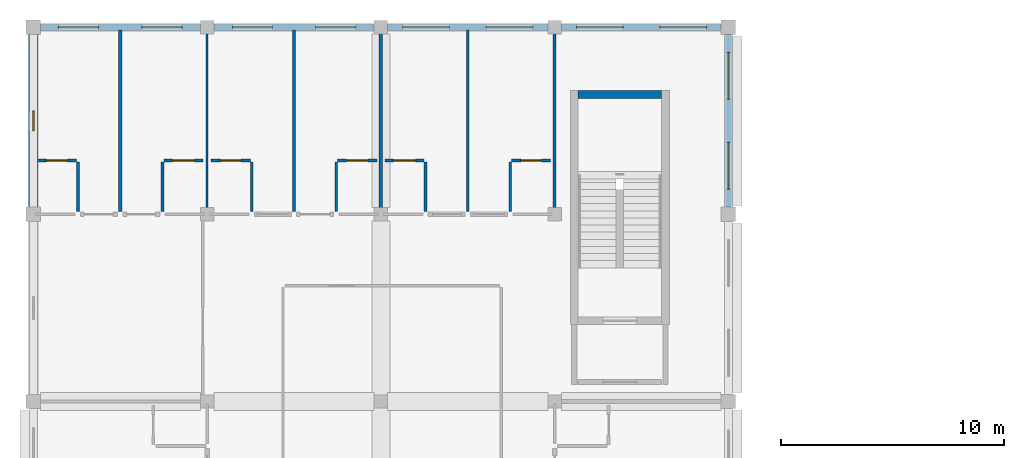
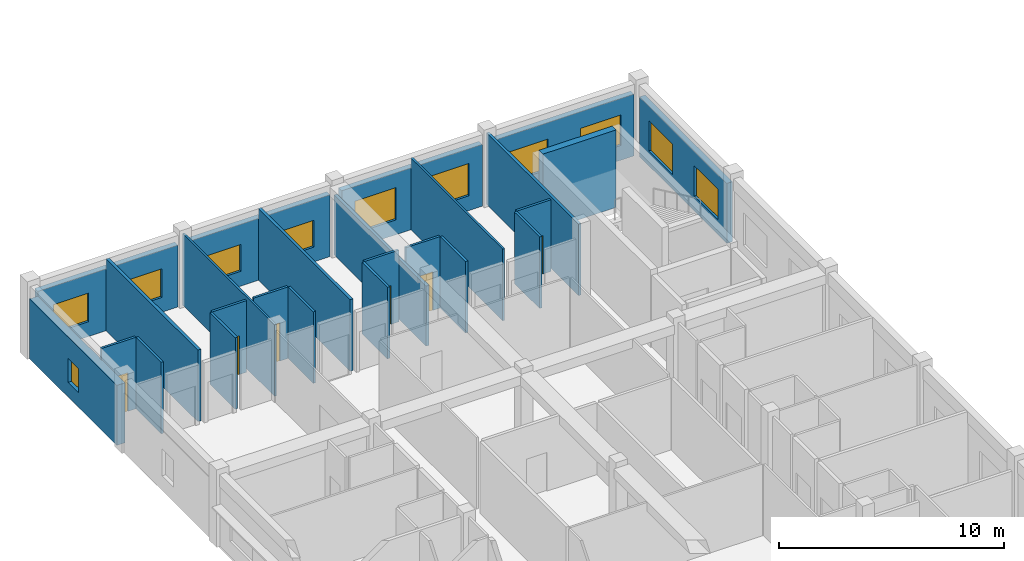
# One storey, part 25 of 32: 25 walls, 11 windows, 6 doors, 17 openings.
"""IFC4 building model written with IfcOpenShell, lengths in metres."""

import ifcopenshell
import ifcopenshell.guid

model = None  # the IFC model being written
_history = None  # IfcOwnerHistory: only IFC2X3 demands one
_inside = {}  # id of a spatial element -> (the spatial element, [elements in it])
_under = {}  # id of a project, library or spatial element -> (it, [spatial elements below it])
_declared = {}  # id of a project -> (the project, [libraries it declares])
_typed = {}  # id of a type object -> (the type object, [elements of that type])
_made_of = {}  # id of a material, layer set ... -> (it, [elements and type objects made of it])


def new_model(schema):
    """Start an empty IFC model of exactly this schema.

    Asked for "IFC4X3", IfcOpenShell would pick the latest addendum, in which some entities
    have other attributes; the version numbers below select the first issue.
    IFC2X3 requires an IfcOwnerHistory on every rooted entity: one is made here for all.
    """
    global model, _history
    if schema == "IFC4X3":
        model = ifcopenshell.file(schema_version=(4, 3, 0, 0))
    else:
        model = ifcopenshell.file(schema=schema)
    _inside.clear()
    _under.clear()
    _declared.clear()
    _typed.clear()
    _made_of.clear()
    _history = None
    if model.schema == "IFC2X3":
        org = make("IfcOrganization", Name="unknown")
        user = make(
            "IfcPersonAndOrganization",
            ThePerson=make("IfcPerson", FamilyName="unknown"),
            TheOrganization=org,
        )
        app = make(
            "IfcApplication",
            ApplicationDeveloper=org,
            Version="unknown",
            ApplicationFullName="unknown",
            ApplicationIdentifier="unknown",
        )
        _history = make(
            "IfcOwnerHistory",
            OwningUser=user,
            OwningApplication=app,
            ChangeAction="ADDED",
            CreationDate=0,
        )
    return model


def make(cls, **values):
    """One entity of the class cls with the attributes given. An attribute that is None is left unset."""
    return model.create_entity(
        cls, **{name: value for name, value in values.items() if value is not None}
    )


def rooted(cls, **values):
    """An entity with a GlobalId (a new one), such as an element, a storey or a relation."""
    return make(cls, GlobalId=ifcopenshell.guid.new(), OwnerHistory=_history, **values)


def si_unit(unit_type, name, prefix=None):
    """IfcSIUnit, for example si_unit("LENGTHUNIT", "METRE", prefix="MILLI")."""
    return make("IfcSIUnit", UnitType=unit_type, Prefix=prefix, Name=name)


def assignment(units):
    """IfcUnitAssignment: the units of a project."""
    return None if units is None else make("IfcUnitAssignment", Units=units)


def point(xyz):
    """IfcCartesianPoint."""
    return None if xyz is None else make("IfcCartesianPoint", Coordinates=xyz)


def direction(xyz):
    """IfcDirection."""
    return None if xyz is None else make("IfcDirection", DirectionRatios=xyz)


def frame(location, z_axis=None, x_axis=None):
    """IfcAxis2Placement3D, a coordinate frame: its origin and axes. An axis left out is left unset."""
    return make(
        "IfcAxis2Placement3D",
        Location=point(location),
        Axis=direction(z_axis),
        RefDirection=direction(x_axis),
    )


def frame_2d(location, x_axis=None):
    """IfcAxis2Placement2D, a coordinate frame in the plane: its origin and x axis."""
    return make(
        "IfcAxis2Placement2D", Location=point(location), RefDirection=direction(x_axis)
    )


def origin():
    """The frame at (0, 0, 0) with its axes left unset."""
    return frame((0.0, 0.0, 0.0))


def place(relative_to, where):
    """IfcLocalPlacement: puts the frame where relative to a parent placement (None: the world)."""
    return make(
        "IfcLocalPlacement", PlacementRelTo=relative_to, RelativePlacement=where
    )


def context(
    kind, dimensions, precision=None, world=None, true_north=None, identifier=None
):
    """IfcGeometricRepresentationContext, for example the 3D "Model" context."""
    return make(
        "IfcGeometricRepresentationContext",
        ContextIdentifier=identifier,
        ContextType=kind,
        CoordinateSpaceDimension=dimensions,
        Precision=precision,
        WorldCoordinateSystem=world,
        TrueNorth=true_north,
    )


def subcontext(parent, identifier, kind, view, scale=None):
    """IfcGeometricRepresentationSubContext, for example "Body" below "Model"."""
    return make(
        "IfcGeometricRepresentationSubContext",
        ContextIdentifier=identifier,
        ContextType=kind,
        ParentContext=parent,
        TargetScale=scale,
        TargetView=view,
    )


def project(units=None, contexts=None):
    """IfcProject with its units and contexts."""
    return rooted(
        "IfcProject",
        Name="project",
        RepresentationContexts=contexts,
        UnitsInContext=assignment(units),
    )


def spatial(cls, under=None, at=None, **own):
    """A site, building, storey or space (cls), placed at a placement, below another one or the project."""
    s = rooted(cls, ObjectPlacement=at, **own)
    if under is not None:
        _under.setdefault(under.id(), (under, []))[1].append(s)
    return s


def profile(cls, at=None, kind="AREA", **sizes):
    """A parametric profile (cls). Its sizes go by their IFC names, for example OverallWidth=200.0."""
    return make(cls, ProfileType=kind, Position=at, **sizes)


def rectangle(**sizes):
    """IfcRectangleProfileDef."""
    return profile("IfcRectangleProfileDef", **sizes)


def extrude(swept, where, along, depth):
    """IfcExtrudedAreaSolid: the profile swept, set in the frame where, extruded along a direction by depth."""
    return make(
        "IfcExtrudedAreaSolid",
        SweptArea=swept,
        Position=where,
        ExtrudedDirection=direction(along),
        Depth=depth,
    )


def shape(context_of_items, identifier, shape_type, items):
    """IfcShapeRepresentation: the items that make up one representation, for example the "Body"."""
    return make(
        "IfcShapeRepresentation",
        ContextOfItems=context_of_items,
        RepresentationIdentifier=identifier,
        RepresentationType=shape_type,
        Items=items,
    )


def material(Name=None, Category=None):
    """IfcMaterial."""
    return make("IfcMaterial", Name=Name, Category=Category)


def layer(
    of_material, thickness, ventilated=None, Name=None, Category=None, Priority=None
):
    """IfcMaterialLayer: one layer of a wall or slab, of a material (None: an air gap)."""
    return make(
        "IfcMaterialLayer",
        Material=of_material,
        LayerThickness=thickness,
        IsVentilated=ventilated,
        Name=Name,
        Category=Category,
        Priority=Priority,
    )


def layer_set(layers, Name=None):
    """IfcMaterialLayerSet."""
    return make("IfcMaterialLayerSet", MaterialLayers=layers, LayerSetName=Name)


def made_of(thing, what):
    """Note that an element or type object is made of a material, layer set ...; save() writes the relation."""
    if what is not None:
        _made_of.setdefault(what.id(), (what, []))[1].append(thing)
    return thing


def type_object(cls, material=None, **own):
    """A type object (cls), such as IfcWallType, which elements share."""
    return made_of(rooted(cls, **own), material)


def element(
    cls,
    number,
    at=None,
    inside=None,
    cuts=None,
    type_object=None,
    material=None,
    context=None,
    identifier="Body",
    shape_type=None,
    held_by="IfcProductDefinitionShape",
    body=None,
    shapes=None,
    **own,
):
    """One element of the class cls, such as IfcWall. Its Tag is "e" and its number.

    at: its placement. inside: the storey or other place that contains it. cuts: it is an
    opening in that element (IfcRelVoidsElement). A single representation is given by context,
    identifier, shape_type and body (its items); several are given by shapes. held_by: the class
    of the entity that holds the representations. save() writes the other relations.
    """
    e = rooted(cls, Tag="e%d" % number, ObjectPlacement=at, **own)
    if body is not None:
        shapes = [shape(context, identifier, shape_type, body)]
    if shapes is not None:
        e.Representation = make(held_by, Representations=shapes)
    if inside is not None:
        _inside.setdefault(inside.id(), (inside, []))[1].append(e)
    if cuts is not None:
        rooted(
            "IfcRelVoidsElement", RelatingBuildingElement=cuts, RelatedOpeningElement=e
        )
    if type_object is not None:
        _typed.setdefault(type_object.id(), (type_object, []))[1].append(e)
    return made_of(e, material)


def fill(opening, filler):
    """IfcRelFillsElement: the door or window that sits in an opening."""
    return rooted(
        "IfcRelFillsElement",
        RelatingOpeningElement=opening,
        RelatedBuildingElement=filler,
    )


def aggregate(whole, parts):
    """IfcRelAggregates: a whole, such as a stair, and the parts it consists of."""
    return rooted("IfcRelAggregates", RelatingObject=whole, RelatedObjects=parts)


def save(model, path):
    """Write the relations noted so far, then the file.

    IfcRelAggregates (storeys below a building ...), IfcRelContainedInSpatialStructure (elements
    in a storey), IfcRelDefinesByType, IfcRelAssociatesMaterial and IfcRelDeclares: one each for
    every whole, place, type object, material and project.
    """
    for whole, parts in _under.values():
        aggregate(whole, parts)
    for where, things in _inside.values():
        rooted(
            "IfcRelContainedInSpatialStructure",
            RelatedElements=things,
            RelatingStructure=where,
        )
    for kind, things in _typed.values():
        rooted("IfcRelDefinesByType", RelatedObjects=things, RelatingType=kind)
    for what, things in _made_of.values():
        rooted("IfcRelAssociatesMaterial", RelatedObjects=things, RelatingMaterial=what)
    for by, libraries in _declared.values():
        rooted("IfcRelDeclares", RelatingContext=by, RelatedDefinitions=libraries)
    model.write(path)


model = new_model("IFC4")

# Units and contexts
model_context = context("Model", 3, precision=1e-05, world=origin(), true_north=direction((0.0, 1.0)))
body_context = subcontext(model_context, "Body", "Model", "MODEL_VIEW")
ifc_project = project(units=[si_unit("LENGTHUNIT", "METRE"), si_unit("AREAUNIT", "SQUARE_METRE"), si_unit("VOLUMEUNIT", "CUBIC_METRE"), si_unit("PLANEANGLEUNIT", "RADIAN"), si_unit("MASSUNIT", "GRAM", prefix="KILO"), si_unit("THERMODYNAMICTEMPERATUREUNIT", "KELVIN"), si_unit("POWERUNIT", "WATT")], contexts=[model_context])

# Site, building, storey
site_placement = place(None, origin())
site = spatial("IfcSite", under=ifc_project, at=site_placement, CompositionType="ELEMENT")
building_placement = place(site_placement, origin())
building = spatial("IfcBuilding", under=site, at=building_placement, Name="Srebrne Nadtorze General Hospital", CompositionType="ELEMENT")
storey_placement = place(building_placement, frame((0.0, 0.0, 29.699951171875)))
storey = spatial("IfcBuildingStorey", under=building, at=storey_placement, Name="L07", CompositionType="ELEMENT", Elevation=29.699951171875)

# Wall, opening, window
ifc_material_1 = material(Name="Concrete C40/50", Category="concrete")
ifc_layer_1 = layer(ifc_material_1, 0.419921875)
ifc_layer_set_1 = layer_set([ifc_layer_1], Name="Concrete C40/50")
wall_type_1 = type_object("IfcWallType", Name="Acoustic buffer wall 420", PredefinedType="SOLIDWALL", material=ifc_layer_set_1)
wall_1_placement = place(storey_placement, frame((23.39990234375, 84.324951171875, 0.0), z_axis=(0.0, 0.0, 1.0), x_axis=(0.0, 1.0, 0.0)))
wall_1 = element("IfcWall", 1, at=wall_1_placement, inside=storey, type_object=wall_type_1, Name="Exterior wall WL-ENV-L07-0533", PredefinedType="SOLIDWALL", context=body_context, shape_type="SweptSolid", body=[
    extrude(rectangle(XDim=7.75, YDim=0.419921875, at=frame_2d((3.875, 0.0))), origin(), (0.0, 0.0, 1.0), 3.25),
])
opening_1_placement = place(wall_1_placement, frame((3.425048828125, 0.0, 0.800048828125)))
opening_1 = element("IfcOpeningElement", 2, at=opening_1_placement, cuts=wall_1, Name="Opening WN-L07-0895", PredefinedType="OPENING", context=body_context, shape_type="SweptSolid", body=[
    extrude(rectangle(XDim=0.89990234375, YDim=1.300048828125, at=frame_2d((0.449951171875, 0.64990234375))), frame((0.0, 0.221923828125, 0.0), z_axis=(0.0, -1.0, 0.0), x_axis=(1.0, 0.0, 0.0)), (0.0, 0.0, 1.0), 0.44384765625),
])
ifc_material_2 = material(Name="Triple Low-E Glazing", Category="glass")
window_type_1 = type_object("IfcWindowType", Name="Punched clinical window 900x1300", PartitioningType="SINGLE_PANEL", PredefinedType="WINDOW", material=ifc_material_2)
window_1_placement = place(opening_1_placement, origin())
window_1 = element("IfcWindow", 3, at=window_1_placement, inside=storey, type_object=window_type_1, Name="Clinical window WN-L07-0895", OverallHeight=1.300048828125, OverallWidth=0.89990234375, PartitioningType="SINGLE_PANEL", PredefinedType="WINDOW", context=body_context, shape_type="SweptSolid", body=[
    extrude(rectangle(XDim=0.89990234375, YDim=1.300048828125, at=frame_2d((0.449951171875, 0.64990234375))), frame((0.0, 0.030029296875, 0.0), z_axis=(0.0, -1.0, 0.0), x_axis=(1.0, 0.0, 0.0)), (0.0, 0.0, 1.0), 0.06005859375),
])
fill(opening_1, window_1)

# Walls
ifc_material_3 = material(Name="Gypsum Healthcare Partition")
ifc_layer_2 = layer(ifc_material_3, 0.139892578125)
ifc_layer_set_2 = layer_set([ifc_layer_2], Name="Gypsum Healthcare Partition")
wall_type_2 = type_object("IfcWallType", Name="Clinical partition 140", PredefinedType="PARTITIONING", material=ifc_layer_set_2)
for number, where, z_axis, x_axis, name in (
    (4, (35.10009765625, 84.1201171875, 0.0), (0.0, 0.0, 1.0), (0.0, 1.0, 0.0), "Ward inter-room partition WL-INT-L07-2258"),
    (5, (46.800048828125, 84.1201171875, 0.0), (0.0, 0.0, 1.0), (0.0, 1.0, 0.0), "Ward inter-room partition WL-INT-L07-2273"),
):
    element("IfcWall", number, at=place(storey_placement, frame(where, z_axis=z_axis, x_axis=x_axis)), inside=storey, type_object=wall_type_2, Name=name, PredefinedType="PARTITIONING", context=body_context, shape_type="SweptSolid", body=[
        extrude(rectangle(XDim=8.159912109375, YDim=0.139892578125, at=frame_2d((4.080078125, 0.0))), origin(), (0.0, 0.0, 1.0), 3.880126953125),
    ])
ifc_material_4 = material(Name="Gypsum Healthcare Partition")
ifc_layer_3 = layer(ifc_material_4, 0.159912109375)
ifc_layer_set_3 = layer_set([ifc_layer_3], Name="Gypsum Healthcare Partition")
wall_type_3 = type_object("IfcWallType", Name="Clinical partition 160", PredefinedType="PARTITIONING", material=ifc_layer_set_3)
wall_2_placement = place(storey_placement, frame((27.300048828125, 84.1201171875, 0.0), z_axis=(0.0, 0.0, 1.0), x_axis=(0.0, 1.0, 0.0)))
element("IfcWall", 6, at=wall_2_placement, inside=storey, type_object=wall_type_3, Name="Ward inter-room partition WL-INT-L07-2248", PredefinedType="PARTITIONING", context=body_context, shape_type="SweptSolid", body=[
    extrude(rectangle(XDim=8.159912109375, YDim=0.159912109375, at=frame_2d((4.080078125, 0.0))), origin(), (0.0, 0.0, 1.0), 3.880126953125),
])
wall_3_placement = place(storey_placement, frame((39.0, 84.1201171875, 0.0), z_axis=(0.0, 0.0, 1.0), x_axis=(0.0, 1.0, 0.0)))
element("IfcWall", 7, at=wall_3_placement, inside=storey, type_object=wall_type_3, Name="Ward inter-room partition WL-INT-L07-2263", PredefinedType="PARTITIONING", context=body_context, shape_type="SweptSolid", body=[
    extrude(rectangle(XDim=8.159912109375, YDim=0.159912109375, at=frame_2d((4.080078125, 0.0))), origin(), (0.0, 0.0, 1.0), 3.25),
])
ifc_material_5 = material(Name="Gypsum Healthcare Partition")
ifc_layer_4 = layer(ifc_material_5, 0.1201171875)
ifc_layer_set_4 = layer_set([ifc_layer_4], Name="Gypsum Healthcare Partition")
wall_type_4 = type_object("IfcWallType", Name="En-suite partition 120", PredefinedType="PARTITIONING", material=ifc_layer_set_4)
wall_4_placement = place(storey_placement, frame((25.39990234375, 84.1201171875, 0.0), z_axis=(0.0, 0.0, 1.0), x_axis=(0.0, 1.0, 0.0)))
element("IfcWall", 8, at=wall_4_placement, inside=storey, type_object=wall_type_4, Name="En-suite wet wall WL-INT-L07-2251", PredefinedType="PARTITIONING", context=body_context, shape_type="SweptSolid", body=[
    extrude(rectangle(XDim=2.239990234375, YDim=0.1201171875, at=frame_2d((1.1201171875, 0.0))), origin(), (0.0, 0.0, 1.0), 3.880126953125),
])

# Wall, opening, door
wall_5_placement = place(storey_placement, frame((23.580078125, 86.419921875, 0.0), z_axis=(0.0, 0.0, 1.0), x_axis=(1.0, 0.0, 0.0)))
wall_5 = element("IfcWall", 9, at=wall_5_placement, inside=storey, type_object=wall_type_4, Name="En-suite wet wall WL-INT-L07-2252", PredefinedType="PARTITIONING", context=body_context, shape_type="SweptSolid", body=[
    extrude(rectangle(XDim=1.760009765625, YDim=0.1201171875, at=frame_2d((0.8798828125, 0.0))), origin(), (0.0, 0.0, 1.0), 3.880126953125),
])
opening_2_placement = place(wall_5_placement, frame((0.405029296875, 0.0, 0.0)))
opening_2 = element("IfcOpeningElement", 10, at=opening_2_placement, cuts=wall_5, Name="Opening D-L07-0490", PredefinedType="OPENING", context=body_context, shape_type="SweptSolid", body=[
    extrude(rectangle(XDim=0.949951171875, YDim=2.10009765625, at=frame_2d((0.47509765625, 1.050048828125))), frame((0.0, 0.072021484375, 0.0), z_axis=(0.0, -1.0, 0.0), x_axis=(1.0, 0.0, 0.0)), (0.0, 0.0, 1.0), 0.14404296875),
])
ifc_material_6 = material(Name="Anodised Aluminium", Category="aluminium")
door_type_1 = type_object("IfcDoorType", Name="Single leaf door 950x2100", OperationType="NOTDEFINED", PredefinedType="DOOR", material=ifc_material_6)
door_1_placement = place(opening_2_placement, frame((0.949951171875, 0.0, 0.0), z_axis=(0.0, 0.0, 1.0), x_axis=(-1.0, 0.0, 0.0)))
door_1 = element("IfcDoor", 11, at=door_1_placement, inside=storey, type_object=door_type_1, Name="En-suite bathroom door D-L07-0490", OperationType="SINGLE_SWING_LEFT", OverallHeight=2.10009765625, OverallWidth=0.949951171875, PredefinedType="DOOR", context=body_context, shape_type="SweptSolid", body=[
    extrude(rectangle(XDim=0.949951171875, YDim=2.10009765625, at=frame_2d((0.47509765625, 1.050048828125))), frame((0.0, 0.02490234375, 0.0), z_axis=(0.0, -1.0, 0.0), x_axis=(1.0, 0.0, 0.0)), (0.0, 0.0, 1.0), 0.050048828125),
])
fill(opening_2, door_1)

# Wall
wall_6_placement = place(storey_placement, frame((29.199951171875, 84.1201171875, 0.0), z_axis=(0.0, 0.0, 1.0), x_axis=(0.0, 1.0, 0.0)))
element("IfcWall", 12, at=wall_6_placement, inside=storey, type_object=wall_type_4, Name="En-suite wet wall WL-INT-L07-2256", PredefinedType="PARTITIONING", context=body_context, shape_type="SweptSolid", body=[
    extrude(rectangle(XDim=2.239990234375, YDim=0.1201171875, at=frame_2d((1.1201171875, 0.0))), origin(), (0.0, 0.0, 1.0), 3.880126953125),
])

# Wall, opening, door
wall_7_placement = place(storey_placement, frame((29.260009765625, 86.419921875, 0.0), z_axis=(0.0, 0.0, 1.0), x_axis=(1.0, 0.0, 0.0)))
wall_7 = element("IfcWall", 13, at=wall_7_placement, inside=storey, type_object=wall_type_4, Name="En-suite wet wall WL-INT-L07-2257", PredefinedType="PARTITIONING", context=body_context, shape_type="SweptSolid", body=[
    extrude(rectangle(XDim=1.760009765625, YDim=0.1201171875, at=frame_2d((0.8798828125, 0.0))), origin(), (0.0, 0.0, 1.0), 3.880126953125),
])
opening_3_placement = place(wall_7_placement, frame((0.3798828125, 0.0, 0.0)))
opening_3 = element("IfcOpeningElement", 14, at=opening_3_placement, cuts=wall_7, Name="Opening D-L07-0492", PredefinedType="OPENING", context=body_context, shape_type="SweptSolid", body=[
    extrude(rectangle(XDim=1.0, YDim=2.10009765625, at=frame_2d((0.5, 1.050048828125))), frame((0.0, 0.072021484375, 0.0), z_axis=(0.0, -1.0, 0.0), x_axis=(1.0, 0.0, 0.0)), (0.0, 0.0, 1.0), 0.14404296875),
])
ifc_material_7 = material(Name="Anodised Aluminium", Category="aluminium")
door_type_2 = type_object("IfcDoorType", Name="Single leaf door 1000x2100", OperationType="NOTDEFINED", PredefinedType="DOOR", material=ifc_material_7)
door_2_placement = place(opening_3_placement, frame((1.0, 0.0, 0.0), z_axis=(0.0, 0.0, 1.0), x_axis=(-1.0, 0.0, 0.0)))
door_2 = element("IfcDoor", 15, at=door_2_placement, inside=storey, type_object=door_type_2, Name="En-suite bathroom door D-L07-0492", OperationType="SINGLE_SWING_LEFT", OverallHeight=2.10009765625, OverallWidth=1.0, PredefinedType="DOOR", context=body_context, shape_type="SweptSolid", body=[
    extrude(rectangle(XDim=1.0, YDim=2.10009765625, at=frame_2d((0.5, 1.050048828125))), frame((0.0, 0.02490234375, 0.0), z_axis=(0.0, -1.0, 0.0), x_axis=(1.0, 0.0, 0.0)), (0.0, 0.0, 1.0), 0.050048828125),
])
fill(opening_3, door_2)

# Wall
wall_8_placement = place(storey_placement, frame((33.199951171875, 84.1201171875, 0.0), z_axis=(0.0, 0.0, 1.0), x_axis=(0.0, 1.0, 0.0)))
element("IfcWall", 16, at=wall_8_placement, inside=storey, type_object=wall_type_4, Name="En-suite wet wall WL-INT-L07-2261", PredefinedType="PARTITIONING", context=body_context, shape_type="SweptSolid", body=[
    extrude(rectangle(XDim=2.239990234375, YDim=0.1201171875, at=frame_2d((1.1201171875, 0.0))), origin(), (0.0, 0.0, 1.0), 3.880126953125),
])

# Wall, opening, door
wall_9_placement = place(storey_placement, frame((31.3798828125, 86.419921875, 0.0), z_axis=(0.0, 0.0, 1.0), x_axis=(1.0, 0.0, 0.0)))
wall_9 = element("IfcWall", 17, at=wall_9_placement, inside=storey, type_object=wall_type_4, Name="En-suite wet wall WL-INT-L07-2262", PredefinedType="PARTITIONING", context=body_context, shape_type="SweptSolid", body=[
    extrude(rectangle(XDim=1.760009765625, YDim=0.1201171875, at=frame_2d((0.8798828125, 0.0))), origin(), (0.0, 0.0, 1.0), 3.880126953125),
])
opening_4_placement = place(wall_9_placement, frame((0.419921875, 0.0, 0.0)))
opening_4 = element("IfcOpeningElement", 18, at=opening_4_placement, cuts=wall_9, Name="Opening D-L07-0494", PredefinedType="OPENING", context=body_context, shape_type="SweptSolid", body=[
    extrude(rectangle(XDim=0.919921875, YDim=2.080078125, at=frame_2d((0.4599609375, 1.0400390625))), frame((0.0, 0.072021484375, 0.0), z_axis=(0.0, -1.0, 0.0), x_axis=(1.0, 0.0, 0.0)), (0.0, 0.0, 1.0), 0.14404296875),
])
ifc_material_8 = material(Name="Anodised Aluminium", Category="aluminium")
door_type_3 = type_object("IfcDoorType", Name="Single leaf door 920x2080", OperationType="NOTDEFINED", PredefinedType="DOOR", material=ifc_material_8)
door_3_placement = place(opening_4_placement, frame((0.919921875, 0.0, 0.0), z_axis=(0.0, 0.0, 1.0), x_axis=(-1.0, 0.0, 0.0)))
door_3 = element("IfcDoor", 19, at=door_3_placement, inside=storey, type_object=door_type_3, Name="En-suite bathroom door D-L07-0494", OperationType="SINGLE_SWING_LEFT", OverallHeight=2.080078125, OverallWidth=0.919921875, PredefinedType="DOOR", context=body_context, shape_type="SweptSolid", body=[
    extrude(rectangle(XDim=0.919921875, YDim=2.080078125, at=frame_2d((0.4599609375, 1.0400390625))), frame((0.0, 0.02490234375, 0.0), z_axis=(0.0, -1.0, 0.0), x_axis=(1.0, 0.0, 0.0)), (0.0, 0.0, 1.0), 0.050048828125),
])
fill(opening_4, door_3)

# Wall
wall_10_placement = place(storey_placement, frame((37.0, 84.1201171875, 0.0), z_axis=(0.0, 0.0, 1.0), x_axis=(0.0, 1.0, 0.0)))
element("IfcWall", 20, at=wall_10_placement, inside=storey, type_object=wall_type_4, Name="En-suite wet wall WL-INT-L07-2266", PredefinedType="PARTITIONING", context=body_context, shape_type="SweptSolid", body=[
    extrude(rectangle(XDim=2.239990234375, YDim=0.1201171875, at=frame_2d((1.1201171875, 0.0))), origin(), (0.0, 0.0, 1.0), 3.880126953125),
])

# Wall, opening, door
wall_11_placement = place(storey_placement, frame((37.06005859375, 86.419921875, 0.0), z_axis=(0.0, 0.0, 1.0), x_axis=(1.0, 0.0, 0.0)))
wall_11 = element("IfcWall", 21, at=wall_11_placement, inside=storey, type_object=wall_type_4, Name="En-suite wet wall WL-INT-L07-2267", PredefinedType="PARTITIONING", context=body_context, shape_type="SweptSolid", body=[
    extrude(rectangle(XDim=1.760009765625, YDim=0.1201171875, at=frame_2d((0.8798828125, 0.0))), origin(), (0.0, 0.0, 1.0), 3.880126953125),
])
opening_5_placement = place(wall_11_placement, frame((0.405029296875, 0.0, 0.0)))
opening_5 = element("IfcOpeningElement", 22, at=opening_5_placement, cuts=wall_11, Name="Opening D-L07-0496", PredefinedType="OPENING", context=body_context, shape_type="SweptSolid", body=[
    extrude(rectangle(XDim=0.949951171875, YDim=2.10009765625, at=frame_2d((0.47509765625, 1.050048828125))), frame((0.0, 0.072021484375, 0.0), z_axis=(0.0, -1.0, 0.0), x_axis=(1.0, 0.0, 0.0)), (0.0, 0.0, 1.0), 0.14404296875),
])
door_4_placement = place(opening_5_placement, frame((0.949951171875, 0.0, 0.0), z_axis=(0.0, 0.0, 1.0), x_axis=(-1.0, 0.0, 0.0)))
door_4 = element("IfcDoor", 23, at=door_4_placement, inside=storey, type_object=door_type_1, Name="En-suite bathroom door D-L07-0496", OperationType="SINGLE_SWING_LEFT", OverallHeight=2.10009765625, OverallWidth=0.949951171875, PredefinedType="DOOR", context=body_context, shape_type="SweptSolid", body=[
    extrude(rectangle(XDim=0.949951171875, YDim=2.10009765625, at=frame_2d((0.47509765625, 1.050048828125))), frame((0.0, 0.02490234375, 0.0), z_axis=(0.0, -1.0, 0.0), x_axis=(1.0, 0.0, 0.0)), (0.0, 0.0, 1.0), 0.050048828125),
])
fill(opening_5, door_4)

# Wall
wall_12_placement = place(storey_placement, frame((41.0, 84.1201171875, 0.0), z_axis=(0.0, 0.0, 1.0), x_axis=(0.0, 1.0, 0.0)))
element("IfcWall", 24, at=wall_12_placement, inside=storey, type_object=wall_type_4, Name="En-suite wet wall WL-INT-L07-2271", PredefinedType="PARTITIONING", context=body_context, shape_type="SweptSolid", body=[
    extrude(rectangle(XDim=2.239990234375, YDim=0.1201171875, at=frame_2d((1.1201171875, 0.0))), origin(), (0.0, 0.0, 1.0), 3.880126953125),
])

# Wall, opening, door
wall_13_placement = place(storey_placement, frame((39.179931640625, 86.419921875, 0.0), z_axis=(0.0, 0.0, 1.0), x_axis=(1.0, 0.0, 0.0)))
wall_13 = element("IfcWall", 25, at=wall_13_placement, inside=storey, type_object=wall_type_4, Name="En-suite wet wall WL-INT-L07-2272", PredefinedType="PARTITIONING", context=body_context, shape_type="SweptSolid", body=[
    extrude(rectangle(XDim=1.760009765625, YDim=0.1201171875, at=frame_2d((0.8798828125, 0.0))), origin(), (0.0, 0.0, 1.0), 3.880126953125),
])
opening_6_placement = place(wall_13_placement, frame((0.3798828125, 0.0, 0.0)))
opening_6 = element("IfcOpeningElement", 26, at=opening_6_placement, cuts=wall_13, Name="Opening D-L07-0498", PredefinedType="OPENING", context=body_context, shape_type="SweptSolid", body=[
    extrude(rectangle(XDim=1.0, YDim=2.10009765625, at=frame_2d((0.5, 1.050048828125))), frame((0.0, 0.072021484375, 0.0), z_axis=(0.0, -1.0, 0.0), x_axis=(1.0, 0.0, 0.0)), (0.0, 0.0, 1.0), 0.14404296875),
])
door_5_placement = place(opening_6_placement, frame((1.0, 0.0, 0.0), z_axis=(0.0, 0.0, 1.0), x_axis=(-1.0, 0.0, 0.0)))
door_5 = element("IfcDoor", 27, at=door_5_placement, inside=storey, type_object=door_type_2, Name="En-suite bathroom door D-L07-0498", OperationType="SINGLE_SWING_LEFT", OverallHeight=2.10009765625, OverallWidth=1.0, PredefinedType="DOOR", context=body_context, shape_type="SweptSolid", body=[
    extrude(rectangle(XDim=1.0, YDim=2.10009765625, at=frame_2d((0.5, 1.050048828125))), frame((0.0, 0.02490234375, 0.0), z_axis=(0.0, -1.0, 0.0), x_axis=(1.0, 0.0, 0.0)), (0.0, 0.0, 1.0), 0.050048828125),
])
fill(opening_6, door_5)

# Wall
wall_14_placement = place(storey_placement, frame((44.800048828125, 84.1201171875, 0.0), z_axis=(0.0, 0.0, 1.0), x_axis=(0.0, 1.0, 0.0)))
element("IfcWall", 28, at=wall_14_placement, inside=storey, type_object=wall_type_4, Name="En-suite wet wall WL-INT-L07-2276", PredefinedType="PARTITIONING", context=body_context, shape_type="SweptSolid", body=[
    extrude(rectangle(XDim=2.239990234375, YDim=0.1201171875, at=frame_2d((1.1201171875, 0.0))), origin(), (0.0, 0.0, 1.0), 3.880126953125),
])

# Wall, opening, door
wall_15_placement = place(storey_placement, frame((44.860107421875, 86.419921875, 0.0), z_axis=(0.0, 0.0, 1.0), x_axis=(1.0, 0.0, 0.0)))
wall_15 = element("IfcWall", 29, at=wall_15_placement, inside=storey, type_object=wall_type_4, Name="En-suite wet wall WL-INT-L07-2277", PredefinedType="PARTITIONING", context=body_context, shape_type="SweptSolid", body=[
    extrude(rectangle(XDim=1.760009765625, YDim=0.1201171875, at=frame_2d((0.8798828125, 0.0))), origin(), (0.0, 0.0, 1.0), 3.880126953125),
])
opening_7_placement = place(wall_15_placement, frame((0.419921875, 0.0, 0.0)))
opening_7 = element("IfcOpeningElement", 30, at=opening_7_placement, cuts=wall_15, Name="Opening D-L07-0500", PredefinedType="OPENING", context=body_context, shape_type="SweptSolid", body=[
    extrude(rectangle(XDim=0.919921875, YDim=2.080078125, at=frame_2d((0.4599609375, 1.0400390625))), frame((0.0, 0.072021484375, 0.0), z_axis=(0.0, -1.0, 0.0), x_axis=(1.0, 0.0, 0.0)), (0.0, 0.0, 1.0), 0.14404296875),
])
door_6_placement = place(opening_7_placement, frame((0.919921875, 0.0, 0.0), z_axis=(0.0, 0.0, 1.0), x_axis=(-1.0, 0.0, 0.0)))
door_6 = element("IfcDoor", 31, at=door_6_placement, inside=storey, type_object=door_type_3, Name="En-suite bathroom door D-L07-0500", OperationType="SINGLE_SWING_LEFT", OverallHeight=2.080078125, OverallWidth=0.919921875, PredefinedType="DOOR", context=body_context, shape_type="SweptSolid", body=[
    extrude(rectangle(XDim=0.919921875, YDim=2.080078125, at=frame_2d((0.4599609375, 1.0400390625))), frame((0.0, 0.02490234375, 0.0), z_axis=(0.0, -1.0, 0.0), x_axis=(1.0, 0.0, 0.0)), (0.0, 0.0, 1.0), 0.050048828125),
])
fill(opening_7, door_6)

# Walls
ifc_material_9 = material(Name="Gypsum Healthcare Partition")
ifc_layer_5 = layer(ifc_material_9, 0.10009765625)
ifc_layer_set_5 = layer_set([ifc_layer_5], Name="Gypsum Healthcare Partition")
wall_type_5 = type_object("IfcWallType", Name="Shaft lining wall 100", PredefinedType="PARTITIONING", material=ifc_layer_set_5)
for number, where, z_axis, x_axis, name in (
    (32, (31.199951171875, 84.1201171875, 0.0), (0.0, 0.0, 1.0), (0.0, 1.0, 0.0), "Ward inter-room partition WL-INT-L07-2253"),
    (33, (42.89990234375, 84.1201171875, 0.0), (0.0, 0.0, 1.0), (0.0, 1.0, 0.0), "Ward inter-room partition WL-INT-L07-2268"),
):
    element("IfcWall", number, at=place(storey_placement, frame(where, z_axis=z_axis, x_axis=x_axis)), inside=storey, type_object=wall_type_5, Name=name, PredefinedType="PARTITIONING", context=body_context, shape_type="SweptSolid", body=[
        extrude(rectangle(XDim=8.159912109375, YDim=0.10009765625, at=frame_2d((4.080078125, 0.0))), origin(), (0.0, 0.0, 1.0), 3.880126953125),
    ])
ifc_material_10 = material(Name="Concrete C40/50", Category="concrete")
ifc_layer_6 = layer(ifc_material_10, 0.35009765625)
ifc_layer_set_6 = layer_set([ifc_layer_6], Name="Concrete C40/50")
wall_type_6 = type_object("IfcWallType", Name="Shear core wall 350", PredefinedType="SHEAR", material=ifc_layer_set_6)
wall_16_placement = place(storey_placement, frame((47.85009765625, 89.375, 0.0), z_axis=(0.0, 0.0, 1.0), x_axis=(1.0, 0.0, 0.0)))
element("IfcWall", 34, at=wall_16_placement, inside=storey, type_object=wall_type_6, Name="Stair core wall ST-02 WL-INT-L07-0419", PredefinedType="SHEAR", context=body_context, shape_type="SweptSolid", body=[
    extrude(rectangle(XDim=3.75, YDim=0.35009765625, at=frame_2d((1.875, 0.0))), origin(), (0.0, 0.0, 1.0), 4.199951171875),
])

# Wall, openings, windows
ifc_material_11 = material(Name="Concrete C35/45 precast", Category="concrete")
ifc_layer_7 = layer(ifc_material_11, 0.280029296875)
ifc_layer_set_7 = layer_set([ifc_layer_7], Name="Concrete C35/45 precast")
wall_type_7 = type_object("IfcWallType", Name="Spandrel wall 280", PredefinedType="STANDARD", material=ifc_layer_set_7)
wall_17_placement = place(storey_placement, frame((23.72509765625, 92.39990234375, 0.0), z_axis=(0.0, 0.0, 1.0), x_axis=(1.0, 0.0, 0.0)))
wall_17 = element("IfcWall", 35, at=wall_17_placement, inside=storey, type_object=wall_type_7, Name="Exterior wall WL-ENV-L07-0522", PredefinedType="STANDARD", context=body_context, shape_type="SweptSolid", body=[
    extrude(rectangle(XDim=7.1748046875, YDim=0.280029296875, at=frame_2d((3.58740234375, 0.0))), origin(), (0.0, 0.0, 1.0), 3.35009765625),
])
opening_8_placement = place(wall_17_placement, frame((0.802978515625, 0.0, 0.800048828125)))
opening_8 = element("IfcOpeningElement", 36, at=opening_8_placement, cuts=wall_17, Name="Opening WN-L07-0876", PredefinedType="OPENING", context=body_context, shape_type="SweptSolid", body=[
    extrude(rectangle(XDim=1.800048828125, YDim=1.550048828125, at=frame_2d((0.89990234375, 0.77490234375))), frame((0.0, 0.15185546875, 0.0), z_axis=(0.0, -1.0, 0.0), x_axis=(1.0, 0.0, 0.0)), (0.0, 0.0, 1.0), 0.303955078125),
])
opening_9_placement = place(wall_17_placement, frame((4.547119140625, 0.0, 0.800048828125)))
opening_9 = element("IfcOpeningElement", 37, at=opening_9_placement, cuts=wall_17, Name="Opening WN-L07-0877", PredefinedType="OPENING", context=body_context, shape_type="SweptSolid", body=[
    extrude(rectangle(XDim=1.800048828125, YDim=1.550048828125, at=frame_2d((0.89990234375, 0.77490234375))), frame((0.0, 0.15185546875, 0.0), z_axis=(0.0, -1.0, 0.0), x_axis=(1.0, 0.0, 0.0)), (0.0, 0.0, 1.0), 0.303955078125),
])
ifc_material_12 = material(Name="Triple Low-E Glazing", Category="glass")
window_type_2 = type_object("IfcWindowType", Name="Punched clinical window 1800x1550", PartitioningType="DOUBLE_PANEL_VERTICAL", PredefinedType="WINDOW", material=ifc_material_12)
window_2_placement = place(opening_8_placement, origin())
window_2 = element("IfcWindow", 38, at=window_2_placement, inside=storey, type_object=window_type_2, Name="Clinical window WN-L07-0876", OverallHeight=1.550048828125, OverallWidth=1.800048828125, PartitioningType="DOUBLE_PANEL_VERTICAL", PredefinedType="WINDOW", context=body_context, shape_type="SweptSolid", body=[
    extrude(rectangle(XDim=1.800048828125, YDim=1.550048828125, at=frame_2d((0.89990234375, 0.77490234375))), frame((0.0, 0.030029296875, 0.0), z_axis=(0.0, -1.0, 0.0), x_axis=(1.0, 0.0, 0.0)), (0.0, 0.0, 1.0), 0.06005859375),
])
fill(opening_8, window_2)
window_3_placement = place(opening_9_placement, origin())
window_3 = element("IfcWindow", 39, at=window_3_placement, inside=storey, type_object=window_type_2, Name="Clinical window WN-L07-0877", OverallHeight=1.550048828125, OverallWidth=1.800048828125, PartitioningType="DOUBLE_PANEL_VERTICAL", PredefinedType="WINDOW", context=body_context, shape_type="SweptSolid", body=[
    extrude(rectangle(XDim=1.800048828125, YDim=1.550048828125, at=frame_2d((0.89990234375, 0.77490234375))), frame((0.0, 0.030029296875, 0.0), z_axis=(0.0, -1.0, 0.0), x_axis=(1.0, 0.0, 0.0)), (0.0, 0.0, 1.0), 0.06005859375),
])
fill(opening_9, window_3)

wall_18_placement = place(storey_placement, frame((31.5, 92.39990234375, 0.0), z_axis=(0.0, 0.0, 1.0), x_axis=(1.0, 0.0, 0.0)))
wall_18 = element("IfcWall", 40, at=wall_18_placement, inside=storey, type_object=wall_type_7, Name="Exterior wall WL-ENV-L07-0523", PredefinedType="STANDARD", context=body_context, shape_type="SweptSolid", body=[
    extrude(rectangle(XDim=7.199951171875, YDim=0.280029296875, at=frame_2d((3.60009765625, 0.0))), origin(), (0.0, 0.0, 1.0), 3.35009765625),
])
opening_10_placement = place(wall_18_placement, frame((0.827880859375, 0.0, 0.800048828125)))
opening_10 = element("IfcOpeningElement", 41, at=opening_10_placement, cuts=wall_18, Name="Opening WN-L07-0878", PredefinedType="OPENING", context=body_context, shape_type="SweptSolid", body=[
    extrude(rectangle(XDim=1.800048828125, YDim=1.449951171875, at=frame_2d((0.89990234375, 0.72509765625))), frame((0.0, 0.15185546875, 0.0), z_axis=(0.0, -1.0, 0.0), x_axis=(1.0, 0.0, 0.0)), (0.0, 0.0, 1.0), 0.303955078125),
])
opening_11_placement = place(wall_18_placement, frame((4.572021484375, 0.0, 0.800048828125)))
opening_11 = element("IfcOpeningElement", 42, at=opening_11_placement, cuts=wall_18, Name="Opening WN-L07-0879", PredefinedType="OPENING", context=body_context, shape_type="SweptSolid", body=[
    extrude(rectangle(XDim=1.800048828125, YDim=1.449951171875, at=frame_2d((0.89990234375, 0.72509765625))), frame((0.0, 0.15185546875, 0.0), z_axis=(0.0, -1.0, 0.0), x_axis=(1.0, 0.0, 0.0)), (0.0, 0.0, 1.0), 0.303955078125),
])
ifc_material_13 = material(Name="Triple Low-E Glazing", Category="glass")
window_type_3 = type_object("IfcWindowType", Name="Punched clinical window 1800x1450", PartitioningType="DOUBLE_PANEL_VERTICAL", PredefinedType="WINDOW", material=ifc_material_13)
window_4_placement = place(opening_10_placement, origin())
window_4 = element("IfcWindow", 43, at=window_4_placement, inside=storey, type_object=window_type_3, Name="Clinical window WN-L07-0878", OverallHeight=1.449951171875, OverallWidth=1.800048828125, PartitioningType="DOUBLE_PANEL_VERTICAL", PredefinedType="WINDOW", context=body_context, shape_type="SweptSolid", body=[
    extrude(rectangle(XDim=1.800048828125, YDim=1.449951171875, at=frame_2d((0.89990234375, 0.72509765625))), frame((0.0, 0.030029296875, 0.0), z_axis=(0.0, -1.0, 0.0), x_axis=(1.0, 0.0, 0.0)), (0.0, 0.0, 1.0), 0.06005859375),
])
fill(opening_10, window_4)
window_5_placement = place(opening_11_placement, origin())
window_5 = element("IfcWindow", 44, at=window_5_placement, inside=storey, type_object=window_type_3, Name="Clinical window WN-L07-0879", OverallHeight=1.449951171875, OverallWidth=1.800048828125, PartitioningType="DOUBLE_PANEL_VERTICAL", PredefinedType="WINDOW", context=body_context, shape_type="SweptSolid", body=[
    extrude(rectangle(XDim=1.800048828125, YDim=1.449951171875, at=frame_2d((0.89990234375, 0.72509765625))), frame((0.0, 0.030029296875, 0.0), z_axis=(0.0, -1.0, 0.0), x_axis=(1.0, 0.0, 0.0)), (0.0, 0.0, 1.0), 0.06005859375),
])
fill(opening_11, window_5)

wall_19_placement = place(storey_placement, frame((39.300048828125, 92.39990234375, 0.0), z_axis=(0.0, 0.0, 1.0), x_axis=(1.0, 0.0, 0.0)))
wall_19 = element("IfcWall", 45, at=wall_19_placement, inside=storey, type_object=wall_type_7, Name="Exterior wall WL-ENV-L07-0524", PredefinedType="STANDARD", context=body_context, shape_type="SweptSolid", body=[
    extrude(rectangle(XDim=7.199951171875, YDim=0.280029296875, at=frame_2d((3.60009765625, 0.0))), origin(), (0.0, 0.0, 1.0), 3.35009765625),
])
opening_12_placement = place(wall_19_placement, frame((0.677978515625, 0.0, 0.800048828125)))
opening_12 = element("IfcOpeningElement", 46, at=opening_12_placement, cuts=wall_19, Name="Opening WN-L07-0880", PredefinedType="OPENING", context=body_context, shape_type="SweptSolid", body=[
    extrude(rectangle(XDim=2.10009765625, YDim=1.75, at=frame_2d((1.050048828125, 0.875))), frame((0.0, 0.15185546875, 0.0), z_axis=(0.0, -1.0, 0.0), x_axis=(1.0, 0.0, 0.0)), (0.0, 0.0, 1.0), 0.303955078125),
])
opening_13_placement = place(wall_19_placement, frame((4.422119140625, 0.0, 0.800048828125)))
opening_13 = element("IfcOpeningElement", 47, at=opening_13_placement, cuts=wall_19, Name="Opening WN-L07-0881", PredefinedType="OPENING", context=body_context, shape_type="SweptSolid", body=[
    extrude(rectangle(XDim=2.10009765625, YDim=1.75, at=frame_2d((1.050048828125, 0.875))), frame((0.0, 0.15185546875, 0.0), z_axis=(0.0, -1.0, 0.0), x_axis=(1.0, 0.0, 0.0)), (0.0, 0.0, 1.0), 0.303955078125),
])
ifc_material_14 = material(Name="Triple Low-E Glazing", Category="glass")
window_type_4 = type_object("IfcWindowType", Name="Punched clinical window 2100x1750", PartitioningType="DOUBLE_PANEL_VERTICAL", PredefinedType="WINDOW", material=ifc_material_14)
window_6_placement = place(opening_12_placement, origin())
window_6 = element("IfcWindow", 48, at=window_6_placement, inside=storey, type_object=window_type_4, Name="Clinical window WN-L07-0880", OverallHeight=1.75, OverallWidth=2.10009765625, PartitioningType="DOUBLE_PANEL_VERTICAL", PredefinedType="WINDOW", context=body_context, shape_type="SweptSolid", body=[
    extrude(rectangle(XDim=2.10009765625, YDim=1.75, at=frame_2d((1.050048828125, 0.875))), frame((0.0, 0.030029296875, 0.0), z_axis=(0.0, -1.0, 0.0), x_axis=(1.0, 0.0, 0.0)), (0.0, 0.0, 1.0), 0.06005859375),
])
fill(opening_12, window_6)
window_7_placement = place(opening_13_placement, origin())
window_7 = element("IfcWindow", 49, at=window_7_placement, inside=storey, type_object=window_type_4, Name="Clinical window WN-L07-0881", OverallHeight=1.75, OverallWidth=2.10009765625, PartitioningType="DOUBLE_PANEL_VERTICAL", PredefinedType="WINDOW", context=body_context, shape_type="SweptSolid", body=[
    extrude(rectangle(XDim=2.10009765625, YDim=1.75, at=frame_2d((1.050048828125, 0.875))), frame((0.0, 0.030029296875, 0.0), z_axis=(0.0, -1.0, 0.0), x_axis=(1.0, 0.0, 0.0)), (0.0, 0.0, 1.0), 0.06005859375),
])
fill(opening_13, window_7)

wall_20_placement = place(storey_placement, frame((47.10009765625, 92.39990234375, 0.0), z_axis=(0.0, 0.0, 1.0), x_axis=(1.0, 0.0, 0.0)))
wall_20 = element("IfcWall", 50, at=wall_20_placement, inside=storey, type_object=wall_type_7, Name="Exterior wall WL-ENV-L07-0525", PredefinedType="STANDARD", context=body_context, shape_type="SweptSolid", body=[
    extrude(rectangle(XDim=7.1748046875, YDim=0.280029296875, at=frame_2d((3.58740234375, 0.0))), origin(), (0.0, 0.0, 1.0), 3.35009765625),
])
opening_14_placement = place(wall_20_placement, frame((0.677978515625, 0.0, 0.800048828125)))
opening_14 = element("IfcOpeningElement", 51, at=opening_14_placement, cuts=wall_20, Name="Opening WN-L07-0882", PredefinedType="OPENING", context=body_context, shape_type="SweptSolid", body=[
    extrude(rectangle(XDim=2.10009765625, YDim=1.64990234375, at=frame_2d((1.050048828125, 0.824951171875))), frame((0.0, 0.15185546875, 0.0), z_axis=(0.0, -1.0, 0.0), x_axis=(1.0, 0.0, 0.0)), (0.0, 0.0, 1.0), 0.303955078125),
])
opening_15_placement = place(wall_20_placement, frame((4.422119140625, 0.0, 0.800048828125)))
opening_15 = element("IfcOpeningElement", 52, at=opening_15_placement, cuts=wall_20, Name="Opening WN-L07-0883", PredefinedType="OPENING", context=body_context, shape_type="SweptSolid", body=[
    extrude(rectangle(XDim=2.10009765625, YDim=1.64990234375, at=frame_2d((1.050048828125, 0.824951171875))), frame((0.0, 0.15185546875, 0.0), z_axis=(0.0, -1.0, 0.0), x_axis=(1.0, 0.0, 0.0)), (0.0, 0.0, 1.0), 0.303955078125),
])
ifc_material_15 = material(Name="Triple Low-E Glazing", Category="glass")
window_type_5 = type_object("IfcWindowType", Name="Punched clinical window 2100x1650", PartitioningType="DOUBLE_PANEL_VERTICAL", PredefinedType="WINDOW", material=ifc_material_15)
window_8_placement = place(opening_14_placement, origin())
window_8 = element("IfcWindow", 53, at=window_8_placement, inside=storey, type_object=window_type_5, Name="Clinical window WN-L07-0882", OverallHeight=1.64990234375, OverallWidth=2.10009765625, PartitioningType="DOUBLE_PANEL_VERTICAL", PredefinedType="WINDOW", context=body_context, shape_type="SweptSolid", body=[
    extrude(rectangle(XDim=2.10009765625, YDim=1.64990234375, at=frame_2d((1.050048828125, 0.824951171875))), frame((0.0, 0.030029296875, 0.0), z_axis=(0.0, -1.0, 0.0), x_axis=(1.0, 0.0, 0.0)), (0.0, 0.0, 1.0), 0.06005859375),
])
fill(opening_14, window_8)
window_9_placement = place(opening_15_placement, origin())
window_9 = element("IfcWindow", 54, at=window_9_placement, inside=storey, type_object=window_type_5, Name="Clinical window WN-L07-0883", OverallHeight=1.64990234375, OverallWidth=2.10009765625, PartitioningType="DOUBLE_PANEL_VERTICAL", PredefinedType="WINDOW", context=body_context, shape_type="SweptSolid", body=[
    extrude(rectangle(XDim=2.10009765625, YDim=1.64990234375, at=frame_2d((1.050048828125, 0.824951171875))), frame((0.0, 0.030029296875, 0.0), z_axis=(0.0, -1.0, 0.0), x_axis=(1.0, 0.0, 0.0)), (0.0, 0.0, 1.0), 0.06005859375),
])
fill(opening_15, window_9)

wall_21_placement = place(storey_placement, frame((54.60009765625, 84.324951171875, 0.0), z_axis=(0.0, 0.0, 1.0), x_axis=(0.0, 1.0, 0.0)))
wall_21 = element("IfcWall", 55, at=wall_21_placement, inside=storey, type_object=wall_type_7, Name="Exterior wall WL-ENV-L07-0539", PredefinedType="STANDARD", context=body_context, shape_type="SweptSolid", body=[
    extrude(rectangle(XDim=7.75, YDim=0.280029296875, at=frame_2d((3.875, 0.0))), origin(), (0.0, 0.0, 1.0), 3.25),
])
opening_16_placement = place(wall_21_placement, frame((0.80908203125, 0.0, 0.800048828125)))
opening_16 = element("IfcOpeningElement", 56, at=opening_16_placement, cuts=wall_21, Name="Opening WN-L07-0906", PredefinedType="OPENING", context=body_context, shape_type="SweptSolid", body=[
    extrude(rectangle(XDim=2.10009765625, YDim=1.64990234375, at=frame_2d((1.050048828125, 0.824951171875))), frame((0.0, 0.15185546875, 0.0), z_axis=(0.0, -1.0, 0.0), x_axis=(1.0, 0.0, 0.0)), (0.0, 0.0, 1.0), 0.303955078125),
])
opening_17_placement = place(wall_21_placement, frame((4.841064453125, 0.0, 0.800048828125)))
opening_17 = element("IfcOpeningElement", 57, at=opening_17_placement, cuts=wall_21, Name="Opening WN-L07-0907", PredefinedType="OPENING", context=body_context, shape_type="SweptSolid", body=[
    extrude(rectangle(XDim=2.10009765625, YDim=1.64990234375, at=frame_2d((1.050048828125, 0.824951171875))), frame((0.0, 0.15185546875, 0.0), z_axis=(0.0, -1.0, 0.0), x_axis=(1.0, 0.0, 0.0)), (0.0, 0.0, 1.0), 0.303955078125),
])
window_10_placement = place(opening_16_placement, origin())
window_10 = element("IfcWindow", 58, at=window_10_placement, inside=storey, type_object=window_type_5, Name="Clinical window WN-L07-0906", OverallHeight=1.64990234375, OverallWidth=2.10009765625, PartitioningType="DOUBLE_PANEL_VERTICAL", PredefinedType="WINDOW", context=body_context, shape_type="SweptSolid", body=[
    extrude(rectangle(XDim=2.10009765625, YDim=1.64990234375, at=frame_2d((1.050048828125, 0.824951171875))), frame((0.0, 0.030029296875, 0.0), z_axis=(0.0, -1.0, 0.0), x_axis=(1.0, 0.0, 0.0)), (0.0, 0.0, 1.0), 0.06005859375),
])
fill(opening_16, window_10)
window_11_placement = place(opening_17_placement, origin())
window_11 = element("IfcWindow", 59, at=window_11_placement, inside=storey, type_object=window_type_5, Name="Clinical window WN-L07-0907", OverallHeight=1.64990234375, OverallWidth=2.10009765625, PartitioningType="DOUBLE_PANEL_VERTICAL", PredefinedType="WINDOW", context=body_context, shape_type="SweptSolid", body=[
    extrude(rectangle(XDim=2.10009765625, YDim=1.64990234375, at=frame_2d((1.050048828125, 0.824951171875))), frame((0.0, 0.030029296875, 0.0), z_axis=(0.0, -1.0, 0.0), x_axis=(1.0, 0.0, 0.0)), (0.0, 0.0, 1.0), 0.06005859375),
])
fill(opening_17, window_11)

save(model, "model.ifc")
